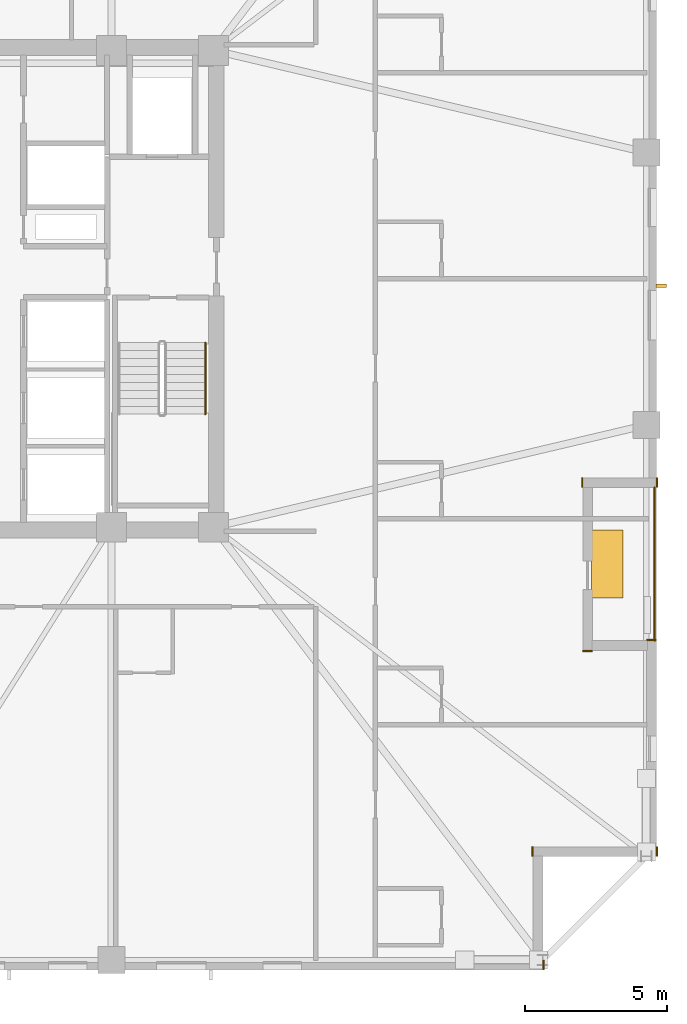
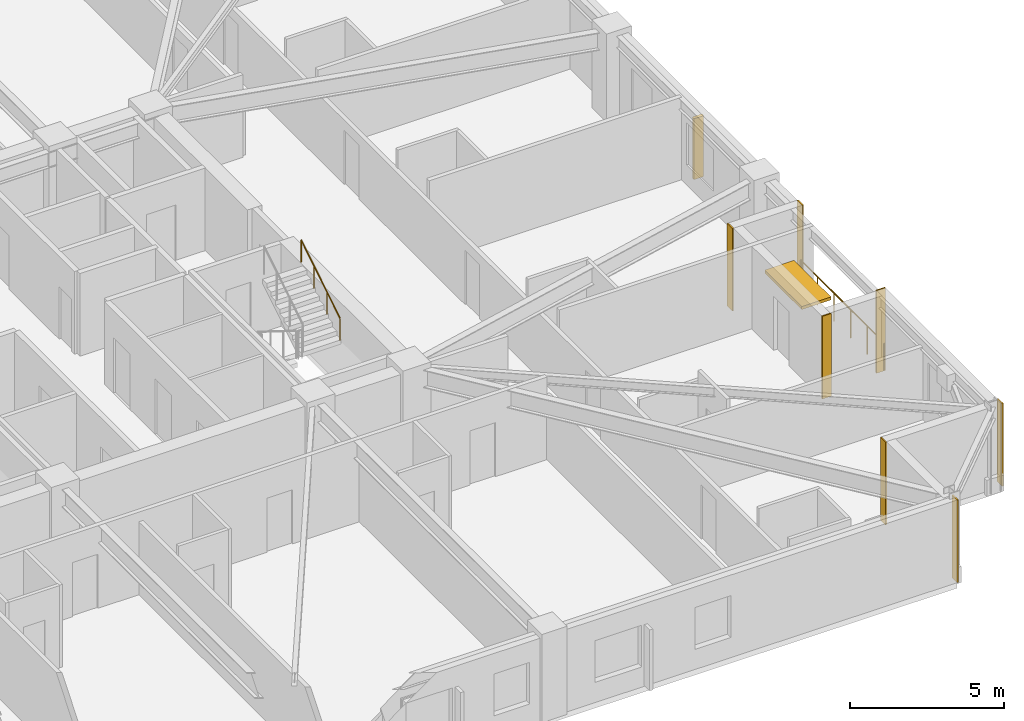
# One storey, part 9 of 11: 7 coverings, 2 railings, 2 shading devices.
"""IFC4 building model written with IfcOpenShell, lengths in metres."""

from ifc_helpers import new_model, si_unit, direction, frame, frame_2d, origin, origin_2d, place, context, subcontext, project, spatial, rectangle, circle, extrude, material, layer, layer_set, type_object, element, save


model = new_model("IFC4")

# Units and contexts
model_context = context("Model", 3, precision=1e-05, world=origin(), true_north=direction((0.0, 1.0)))
body_context = subcontext(model_context, "Body", "Model", "MODEL_VIEW")
ifc_project = project(units=[si_unit("LENGTHUNIT", "METRE"), si_unit("AREAUNIT", "SQUARE_METRE"), si_unit("VOLUMEUNIT", "CUBIC_METRE"), si_unit("PLANEANGLEUNIT", "RADIAN"), si_unit("MASSUNIT", "GRAM", prefix="KILO")], contexts=[model_context])

# Site, building, storey
site_placement = place(None, origin())
site = spatial("IfcSite", under=ifc_project, at=site_placement, CompositionType="ELEMENT")
building_placement = place(site_placement, origin())
building = spatial("IfcBuilding", under=site, at=building_placement, Name="Cairnveth Concourse Tower", CompositionType="ELEMENT")
storey_placement = place(building_placement, frame((0.0, 0.0, 172.5)))
storey = spatial("IfcBuildingStorey", under=building, at=storey_placement, Name="L47", CompositionType="ELEMENT", Elevation=172.5)

# Coverings
ifc_material_1 = material(Name="Dressed Melbourne Bluestone Cladding", Category="masonry")
ifc_layer = layer(ifc_material_1, 0.050048828125)
ifc_layer_set = layer_set([ifc_layer], Name="Dressed Melbourne Bluestone Cladding")
covering_type = type_object("IfcCoveringType", Name="DRESSED BLUESTONE PLINTH CLADDING 50", PredefinedType="CLADDING", material=ifc_layer_set)
for number, where, z_axis, x_axis, name in (
    (1, (75.659912109375, 26.6201171875, 0.0), (0.0, 0.0, 1.0), (1.0, 0.0, 0.0), "Melbourne Bluestone Corner Quoin L47-691"),
    (2, (76.02001953125, 19.340087890625, 0.0), (0.0, 0.0, 1.0), (0.0, -1.0, 0.0), "Melbourne Bluestone Corner Quoin L47-692"),
    (3, (71.639892578125, 19.340087890625, 0.0), (0.0, 0.0, 1.0), (0.0, -1.0, 0.0), "Melbourne Bluestone Corner Quoin L47-693"),
    (4, (72.02001953125, 15.340087890625, 0.0), (0.0, 0.0, 1.0), (0.0, -1.0, 0.0), "Melbourne Bluestone Corner Quoin L47-694"),
    (5, (76.02001953125, 32.340087890625, 0.0), (0.0, 0.0, 1.0), (0.0, -1.0, 0.0), "Melbourne Bluestone Corner Quoin L47-704"),
    (6, (73.389892578125, 32.340087890625, 0.0), (0.0, 0.0, 1.0), (0.0, -1.0, 0.0), "Melbourne Bluestone Corner Quoin L47-705"),
    (7, (73.409912109375, 26.239990234375, 0.0), (0.0, 0.0, 1.0), (1.0, 0.0, 0.0), "Melbourne Bluestone Corner Quoin L47-706"),
):
    element("IfcCovering", number, at=place(storey_placement, frame(where, z_axis=z_axis, x_axis=x_axis)), inside=storey, type_object=covering_type, Name=name, PredefinedType="CLADDING", context=body_context, shape_type="SweptSolid", body=[
        extrude(rectangle(XDim=0.340087890625, YDim=0.050048828125, at=frame_2d((0.169921875, 0.0))), origin(), (0.0, 0.0, 1.0), 3.280029296875),
    ])

# Shading devices
ifc_material_2 = material(Name="Architectural Bronze Anodised Aluminium 6063-T6", Category="aluminium")
shading_device_type_1 = type_object("IfcShadingDeviceType", Name="GOTHIC BRONZE VERTICAL LANCET FIN", PredefinedType="USERDEFINED", material=ifc_material_2)
shading_device_1_placement = place(storey_placement, frame((76.175048828125, 39.101318359375, 0.030029296875), z_axis=(0.0, 0.0, 1.0), x_axis=(0.0, 1.0, 0.0)))
element("IfcShadingDevice", 8, at=shading_device_1_placement, inside=storey, type_object=shading_device_type_1, Name="Gothic Bronze Vertical Fin L47-12-5", ObjectType="VERTICAL FIN", PredefinedType="USERDEFINED", context=body_context, shape_type="SweptSolid", body=[
    extrude(rectangle(XDim=0.1201171875, YDim=0.360107421875, at=origin_2d()), origin(), (0.0, 0.0, 1.0), 2.419921875),
])
shading_device_type_2 = type_object("IfcShadingDeviceType", Name="SPIRAL TERRACE SUNSHADE CANOPY", PredefinedType="USERDEFINED", material=ifc_material_2)
shading_device_2_placement = place(storey_placement, frame((74.27001953125, 29.300048828125, 2.300048828125), z_axis=(0.0, 0.0, 1.0), x_axis=(1.0, 0.0, 0.0)))
element("IfcShadingDevice", 9, at=shading_device_2_placement, inside=storey, type_object=shading_device_type_2, Name="Spiral Terrace Sunshade L47", ObjectType="TERRACE SUNSHADE", PredefinedType="USERDEFINED", context=body_context, shape_type="SweptSolid", body=[
    extrude(rectangle(XDim=1.10009765625, YDim=2.39990234375, at=origin_2d()), origin(), (0.0, 0.0, 1.0), 0.1201171875),
])

# Railings
ifc_material_3 = material(Name="Steel Grade 350", Category="steel")
railing_type_1 = type_object("IfcRailingType", Name="STAIR WALL HANDRAIL 900", PredefinedType="HANDRAIL", material=ifc_material_3)
railing_1_placement = place(storey_placement, frame((60.110107421875, 34.580078125, 1.925048828125)))
element("IfcRailing", 10, at=railing_1_placement, inside=storey, type_object=railing_type_1, Name="L47 ST-2 stair handrail 2", PredefinedType="HANDRAIL", context=body_context, shape_type="SweptSolid", body=[
    extrude(circle(Radius=0.02392578125, at=origin_2d()), frame((0.0, 0.0, 0.8759765625), z_axis=(0.0, 0.848007534815, 0.529984170421), x_axis=(-1.0, 0.0, 0.0)), (0.0, 0.0, 1.0), 2.9716796875),
    extrude(circle(Radius=0.02099609375, at=origin_2d()), origin(), (0.0, 0.0, 1.0), 0.851806640625),
    extrude(circle(Radius=0.02099609375, at=origin_2d()), frame((0.0, 0.840087890625, 0.52490234375)), (0.0, 0.0, 1.0), 0.851806640625),
    extrude(circle(Radius=0.02099609375, at=origin_2d()), frame((0.0, 1.679931640625, 1.050048828125)), (0.0, 0.0, 1.0), 0.851806640625),
    extrude(circle(Radius=0.02099609375, at=origin_2d()), frame((0.0, 2.52001953125, 1.574951171875)), (0.0, 0.0, 1.0), 0.851806640625),
])
railing_type_2 = type_object("IfcRailingType", Name="TERRACE BRONZE BALUSTRADE 1150", PredefinedType="BALUSTRADE", material=ifc_material_2)
railing_2_placement = place(storey_placement, frame((75.93994140625, 26.60009765625, 0.0)))
element("IfcRailing", 11, at=railing_2_placement, inside=storey, type_object=railing_type_2, Name="Terrace Balustrade RL-L47-TERR", PredefinedType="BALUSTRADE", context=body_context, shape_type="SweptSolid", body=[
    extrude(circle(Radius=0.02490234375, at=origin_2d()), frame((0.0, 0.0, 1.125), z_axis=(0.0, 1.0, 0.0), x_axis=(-1.0, 0.0, 0.0)), (0.0, 0.0, 1.0), 5.39990234375),
    extrude(circle(Radius=0.02099609375, at=origin_2d()), origin(), (0.0, 0.0, 1.0), 1.099853515625),
    extrude(circle(Radius=0.02099609375, at=origin_2d()), frame((0.0, 1.080078125, 0.0)), (0.0, 0.0, 1.0), 1.099853515625),
    extrude(circle(Radius=0.02099609375, at=origin_2d()), frame((0.0, 2.159912109375, 0.0)), (0.0, 0.0, 1.0), 1.099853515625),
    extrude(circle(Radius=0.02099609375, at=origin_2d()), frame((0.0, 3.239990234375, 0.0)), (0.0, 0.0, 1.0), 1.099853515625),
    extrude(circle(Radius=0.02099609375, at=origin_2d()), frame((0.0, 4.31982421875, 0.0)), (0.0, 0.0, 1.0), 1.099853515625),
    extrude(circle(Radius=0.02099609375, at=origin_2d()), frame((0.0, 5.39990234375, 0.0)), (0.0, 0.0, 1.0), 1.099853515625),
])

save(model, "model.ifc")
